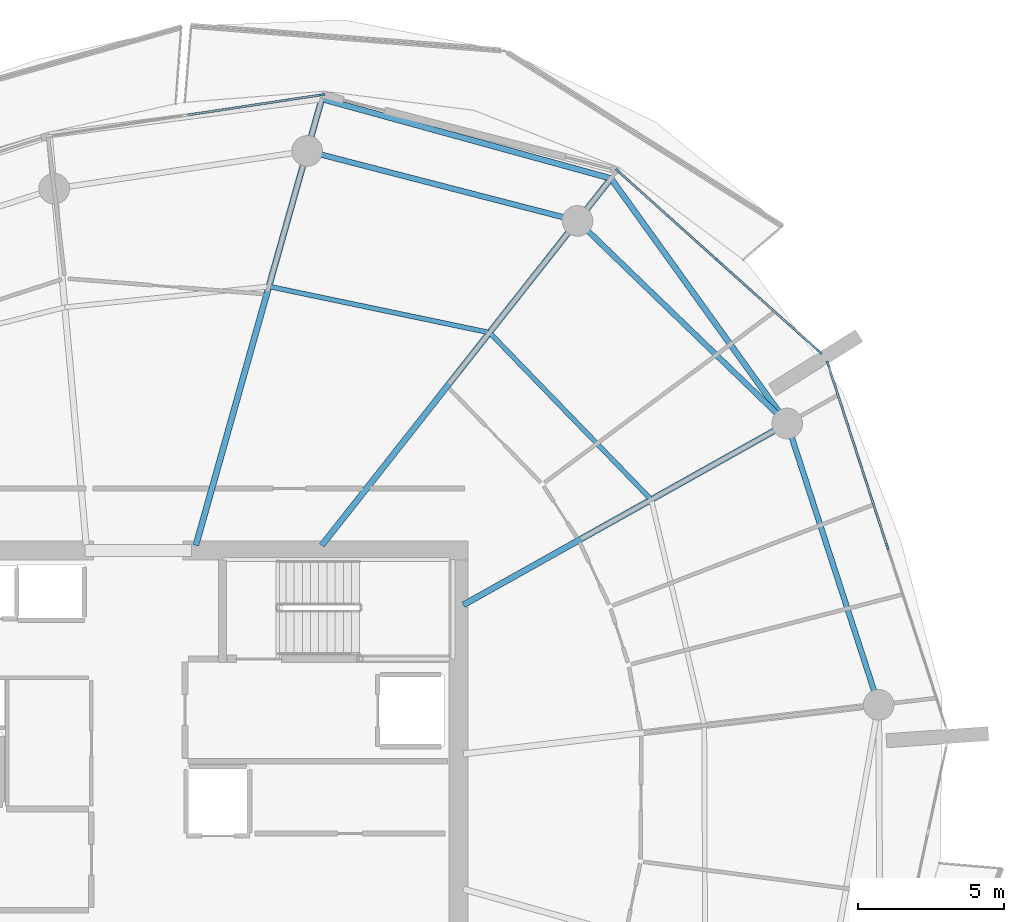
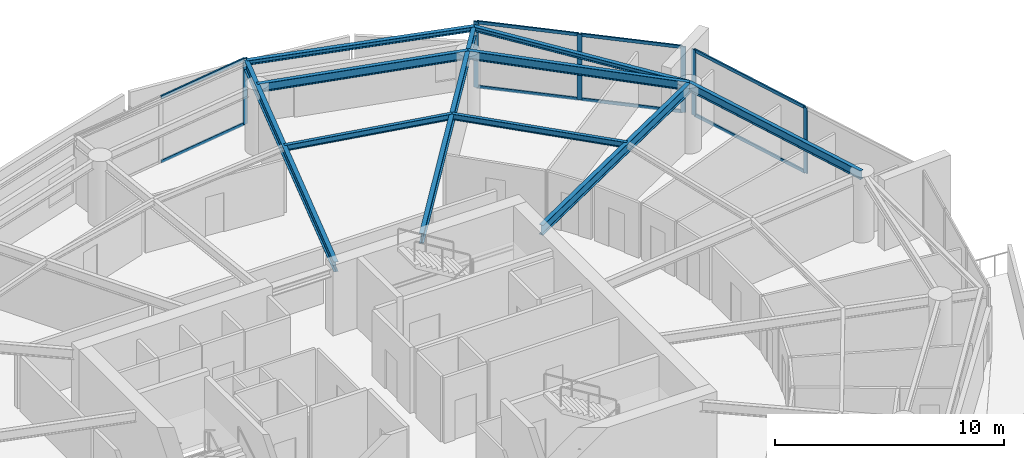
# One storey, part 9 of 20: 14 members, 10 beams, 3 elements without a shape of their own.
"""IFC4 building model written with IfcOpenShell, lengths in metres."""

from ifc_helpers import new_model, si_unit, direction, frame, origin, origin_2d, place, context, subcontext, project, spatial, rectangle, i_section, extrude, material, layer, layer_set, material_profile, profile_set, type_object, element, aggregate, save


model = new_model("IFC4")

# Units and contexts
model_context = context("Model", 3, precision=1e-05, world=origin(), true_north=direction((0.0, 1.0)))
body_context = subcontext(model_context, "Body", "Model", "MODEL_VIEW")
ifc_project = project(units=[si_unit("LENGTHUNIT", "METRE"), si_unit("AREAUNIT", "SQUARE_METRE"), si_unit("VOLUMEUNIT", "CUBIC_METRE"), si_unit("PLANEANGLEUNIT", "RADIAN"), si_unit("MASSUNIT", "GRAM", prefix="KILO")], contexts=[model_context])

# Site, building, storey
site_placement = place(None, origin())
site = spatial("IfcSite", under=ifc_project, at=site_placement, CompositionType="ELEMENT")
building_placement = place(site_placement, origin())
building = spatial("IfcBuilding", under=site, at=building_placement, Name="Kazma Halo Residences", CompositionType="ELEMENT")
storey_placement = place(building_placement, frame((0.0, 0.0, 217.800048828125)))
storey = spatial("IfcBuildingStorey", under=building, at=storey_placement, Name="L55", CompositionType="ELEMENT", Elevation=217.800048828125)

# Beams
ifc_material_1 = material(Name="Steel S355", Category="steel")
ifc_material_profile_1 = material_profile(ifc_material_1, i_section(OverallWidth=0.201904296875, OverallDepth=0.2470703125, WebThickness=0.00732421875, FlangeThickness=0.010986328125, FilletRadius=0.011962890625, at=origin_2d()), Name="W250x49.1")
ifc_profile_set_1 = profile_set([ifc_material_profile_1], Name="Steel S355")
beam_type_1 = type_object("IfcBeamType", Name="BM-BAL-CANT", PredefinedType="BEAM", material=ifc_profile_set_1)
beam_1_placement = place(storey_placement, frame((70.625, 54.670654296875, 3.37646484375), z_axis=(-0.583963922576, 0.811779611181, 0.0), x_axis=(-0.811779611181, -0.583963922576, 0.0)))
element("IfcBeam", 1, at=beam_1_placement, inside=storey, type_object=beam_type_1, Name="L55 wave-balcony lead tie beam 01", PredefinedType="BEAM", context=body_context, shape_type="SweptSolid", body=[
    extrude(i_section(OverallWidth=0.201904296875, OverallDepth=0.2470703125, WebThickness=0.00732421875, FlangeThickness=0.010986328125, FilletRadius=0.011962890625, at=origin_2d()), origin(), (0.0, 0.0, 1.0), 10.324462890625),
])
beam_2_placement = place(storey_placement, frame((64.595947265625, 63.0517578125, 3.37646484375), z_axis=(-0.964197026197, 0.265186905169, 0.0), x_axis=(-0.265186905169, -0.964197026197, 0.0)))
element("IfcBeam", 2, at=beam_2_placement, inside=storey, type_object=beam_type_1, Name="L55 wave-balcony tie beam 02", PredefinedType="BEAM", context=body_context, shape_type="SweptSolid", body=[
    extrude(i_section(OverallWidth=0.201904296875, OverallDepth=0.2470703125, WebThickness=0.00732421875, FlangeThickness=0.010986328125, FilletRadius=0.011962890625, at=origin_2d()), origin(), (0.0, 0.0, 1.0), 10.258544921875),
])
ifc_material_profile_2 = material_profile(ifc_material_1, i_section(OverallWidth=0.208984375, OverallDepth=0.532958984375, WebThickness=0.01025390625, FlangeThickness=0.015625, FilletRadius=0.01611328125, at=origin_2d()), Name="W530x92")
ifc_profile_set_2 = profile_set([ifc_material_profile_2], Name="Steel S355")
beam_type_2 = type_object("IfcBeamType", Name="BM-RAD-W530", PredefinedType="BEAM", material=ifc_profile_set_2)
beam_3_placement = place(storey_placement, frame((59.550048828125, 48.46826171875, 3.2333984375), z_axis=(0.872491912539, 0.488628552742, 0.0), x_axis=(-0.488628552742, 0.872491912539, 0.0)))
element("IfcBeam", 3, at=beam_3_placement, inside=storey, type_object=beam_type_2, Name="L55 radial floor beam 01", PredefinedType="BEAM", context=body_context, shape_type="SweptSolid", body=[
    extrude(i_section(OverallWidth=0.208984375, OverallDepth=0.532958984375, WebThickness=0.01025390625, FlangeThickness=0.015625, FilletRadius=0.01611328125, at=origin_2d()), origin(), (0.0, 0.0, 1.0), 12.693359375),
])
beam_4_placement = place(storey_placement, frame((54.700927734375, 50.5, 3.2333984375), z_axis=(0.61909439419, 0.785316580165, 0.0), x_axis=(-0.785316580165, 0.61909439419, 0.0)))
element("IfcBeam", 4, at=beam_4_placement, inside=storey, type_object=beam_type_2, Name="L55 radial floor beam 02", PredefinedType="BEAM", context=body_context, shape_type="SweptSolid", body=[
    extrude(i_section(OverallWidth=0.208984375, OverallDepth=0.532958984375, WebThickness=0.01025390625, FlangeThickness=0.015625, FilletRadius=0.01611328125, at=origin_2d()), origin(), (0.0, 0.0, 1.0), 15.983154296875),
])
beam_5_placement = place(storey_placement, frame((50.397216796875, 50.5, 3.2333984375), z_axis=(0.271449932859, 0.962452561922, 0.0), x_axis=(-0.962452561922, 0.271449932859, 0.0)))
element("IfcBeam", 5, at=beam_5_placement, inside=storey, type_object=beam_type_2, Name="L55 radial floor beam 03", PredefinedType="BEAM", context=body_context, shape_type="SweptSolid", body=[
    extrude(i_section(OverallWidth=0.208984375, OverallDepth=0.532958984375, WebThickness=0.01025390625, FlangeThickness=0.015625, FilletRadius=0.01611328125, at=origin_2d()), origin(), (0.0, 0.0, 1.0), 15.867919921875),
])
ifc_material_profile_3 = material_profile(ifc_material_1, i_section(OverallWidth=0.1650390625, OverallDepth=0.31005859375, WebThickness=0.005859375, FlangeThickness=0.009765625, FilletRadius=0.011962890625, at=origin_2d()), Name="W310x38.7")
ifc_profile_set_3 = profile_set([ifc_material_profile_3], Name="Steel S355")
beam_type_3 = type_object("IfcBeamType", Name="BM-SEC-W310B", PredefinedType="JOIST", material=ifc_profile_set_3)
beam_6_placement = place(storey_placement, frame((65.9736328125, 52.065673828125, 3.344970703125), z_axis=(-0.695659633946, 0.718371542934, 0.0), x_axis=(-0.718371542934, -0.695659633946, 0.0)))
element("IfcBeam", 6, at=beam_6_placement, inside=storey, type_object=beam_type_3, Name="L55 circumferential floor joist 01", PredefinedType="JOIST", context=body_context, shape_type="SweptSolid", body=[
    extrude(i_section(OverallWidth=0.1650390625, OverallDepth=0.31005859375, WebThickness=0.005859375, FlangeThickness=0.009765625, FilletRadius=0.011962890625, at=origin_2d()), origin(), (0.0, 0.0, 1.0), 7.95458984375),
])
beam_7_placement = place(storey_placement, frame((60.43994140625, 57.780029296875, 3.344970703125), z_axis=(-0.978821484976, 0.204715657802, 0.0), x_axis=(-0.204715657802, -0.978821484976, 0.0)))
element("IfcBeam", 7, at=beam_7_placement, inside=storey, type_object=beam_type_3, Name="L55 circumferential floor joist 02", PredefinedType="JOIST", context=body_context, shape_type="SweptSolid", body=[
    extrude(i_section(OverallWidth=0.1650390625, OverallDepth=0.31005859375, WebThickness=0.005859375, FlangeThickness=0.009765625, FilletRadius=0.011962890625, at=origin_2d()), origin(), (0.0, 0.0, 1.0), 7.707763671875),
])
ifc_material_profile_4 = material_profile(ifc_material_1, i_section(OverallWidth=0.18994140625, OverallDepth=0.45703125, WebThickness=0.009033203125, FlangeThickness=0.014404296875, FilletRadius=0.01611328125, at=origin_2d()), Name="W460x74")
ifc_profile_set_4 = profile_set([ifc_material_profile_4], Name="Steel S355")
beam_type_4 = type_object("IfcBeamType", Name="BM-SPN-W460", PredefinedType="BEAM", material=ifc_profile_set_4)
beam_8_placement = place(storey_placement, frame((70.625, 54.670654296875, 3.271484375), z_axis=(-0.71933650181, 0.694661786169, 0.0), x_axis=(-0.694661786169, -0.71933650181, 0.0)))
element("IfcBeam", 8, at=beam_8_placement, inside=storey, type_object=beam_type_4, Name="L55 perimeter ring beam 01", PredefinedType="BEAM", context=body_context, shape_type="SweptSolid", body=[
    extrude(i_section(OverallWidth=0.18994140625, OverallDepth=0.45703125, WebThickness=0.009033203125, FlangeThickness=0.014404296875, FilletRadius=0.01611328125, at=origin_2d()), origin(), (0.0, 0.0, 1.0), 9.9736328125),
])
beam_9_placement = place(storey_placement, frame((63.45068359375, 61.598876953125, 3.271484375), z_axis=(-0.968120950739, 0.25048318255, 0.0), x_axis=(-0.25048318255, -0.968120950739, 0.0)))
element("IfcBeam", 9, at=beam_9_placement, inside=storey, type_object=beam_type_4, Name="L55 perimeter ring beam 02", PredefinedType="BEAM", context=body_context, shape_type="SweptSolid", body=[
    extrude(i_section(OverallWidth=0.18994140625, OverallDepth=0.45703125, WebThickness=0.009033203125, FlangeThickness=0.014404296875, FilletRadius=0.01611328125, at=origin_2d()), origin(), (0.0, 0.0, 1.0), 9.552734375),
])
beam_10_placement = place(storey_placement, frame((73.751708984375, 45.0478515625, 3.271484375), z_axis=(-0.309023327426, 0.951054458539, 0.0), x_axis=(-0.951054458539, -0.309023327426, 0.0)))
element("IfcBeam", 10, at=beam_10_placement, inside=storey, type_object=beam_type_4, Name="L55 perimeter ring beam 16", PredefinedType="BEAM", context=body_context, shape_type="SweptSolid", body=[
    extrude(i_section(OverallWidth=0.18994140625, OverallDepth=0.45703125, WebThickness=0.009033203125, FlangeThickness=0.014404296875, FilletRadius=0.01611328125, at=origin_2d()), origin(), (0.0, 0.0, 1.0), 10.117919921875),
])

# Curtain wall, members
ifc_material_2 = material(Name="Aluminium AW-6063 T6 and Triple-Silver Low-E Glass", Category="aluminium")
ifc_layer = layer(ifc_material_2, 0.219970703125)
ifc_layer_set = layer_set([ifc_layer], Name="Aluminium AW-6063 T6 and Triple-Silver Low-E Glass")
curtain_wall_type = type_object("IfcCurtainWallType", Name="CW-SYS-4", PredefinedType="NOTDEFINED", material=ifc_layer_set)
curtain_wall_1_placement = place(storey_placement, origin())
curtain_wall_1 = element("IfcCurtainWall", 11, at=curtain_wall_1_placement, inside=storey, type_object=curtain_wall_type, Name="L55 unitised curtain wall B01", PredefinedType="NOTDEFINED")
ifc_material_3 = material(Name="Aluminium AW-6063 T6", Category="aluminium")
ifc_material_profile_5 = material_profile(ifc_material_3, rectangle(XDim=0.074951171875, YDim=0.219970703125, at=origin_2d()), Name="CWM-75x220")
ifc_profile_set_5 = profile_set([ifc_material_profile_5], Name="Aluminium AW-6063 T6")
member_type_1 = type_object("IfcMemberType", Name="CW-SYS-4-MUL", PredefinedType="MULLION", material=ifc_profile_set_5)
member_1_placement = place(storey_placement, frame((71.7216796875, 57.126220703125, 0.0), z_axis=(0.0, 0.0, 1.0), x_axis=(-0.667784328806, -0.744354814723, 0.0)))
member_1 = element("IfcMember", 12, at=member_1_placement, type_object=member_type_1, Name="CWS-4 mullion 1", PredefinedType="MULLION", context=body_context, shape_type="SweptSolid", body=[
    extrude(rectangle(XDim=0.074951171875, YDim=0.219970703125, at=origin_2d()), origin(), (0.0, 0.0, 1.0), 3.5),
])
member_2_placement = place(storey_placement, frame((68.280517578125, 60.213134765625, 0.0), z_axis=(0.0, 0.0, 1.0), x_axis=(-0.667784328806, -0.744354814723, 0.0)))
member_2 = element("IfcMember", 13, at=member_2_placement, type_object=member_type_1, Name="CWS-4 mullion 2", PredefinedType="MULLION", context=body_context, shape_type="SweptSolid", body=[
    extrude(rectangle(XDim=0.074951171875, YDim=0.219970703125, at=origin_2d()), origin(), (0.0, 0.0, 1.0), 3.5),
])
member_3_placement = place(storey_placement, frame((64.839599609375, 63.30029296875, 0.0), z_axis=(0.0, 0.0, 1.0), x_axis=(-0.667784328806, -0.744354814723, 0.0)))
member_3 = element("IfcMember", 14, at=member_3_placement, type_object=member_type_1, Name="CWS-4 mullion 3", PredefinedType="MULLION", context=body_context, shape_type="SweptSolid", body=[
    extrude(rectangle(XDim=0.074951171875, YDim=0.219970703125, at=origin_2d()), origin(), (0.0, 0.0, 1.0), 3.5),
])

# Curtain wall, member
curtain_wall_2_placement = place(storey_placement, origin())
curtain_wall_2 = element("IfcCurtainWall", 15, at=curtain_wall_2_placement, inside=storey, type_object=curtain_wall_type, Name="L55 unitised curtain wall B03", PredefinedType="NOTDEFINED")
member_4_placement = place(storey_placement, frame((54.708740234375, 65.913330078125, 0.0), z_axis=(0.0, 0.0, 1.0), x_axis=(0.148772639188, -0.988871428361, 0.0)))
member_4 = element("IfcMember", 16, at=member_4_placement, type_object=member_type_1, Name="CWS-4 mullion 1", PredefinedType="MULLION", context=body_context, shape_type="SweptSolid", body=[
    extrude(rectangle(XDim=0.074951171875, YDim=0.219970703125, at=origin_2d()), origin(), (0.0, 0.0, 1.0), 3.5),
])

# Curtain wall, members
curtain_wall_3_placement = place(storey_placement, origin())
curtain_wall_3 = element("IfcCurtainWall", 17, at=curtain_wall_3_placement, inside=storey, type_object=curtain_wall_type, Name="L55 unitised curtain wall B16", PredefinedType="NOTDEFINED")
member_5_placement = place(storey_placement, frame((74.04345703125, 50.4619140625, 0.0), z_axis=(0.0, 0.0, 1.0), x_axis=(-0.951056893636, -0.309015833038, 0.0)))
member_5 = element("IfcMember", 18, at=member_5_placement, type_object=member_type_1, Name="CWS-4 mullion 2", PredefinedType="MULLION", context=body_context, shape_type="SweptSolid", body=[
    extrude(rectangle(XDim=0.074951171875, YDim=0.219970703125, at=origin_2d()), origin(), (0.0, 0.0, 1.0), 3.5),
])
member_6_placement = place(storey_placement, frame((72.015625, 56.702880859375, 0.0), z_axis=(0.0, 0.0, 1.0), x_axis=(-0.951056893636, -0.309015833038, 0.0)))
member_6 = element("IfcMember", 19, at=member_6_placement, type_object=member_type_1, Name="CWS-4 mullion 3", PredefinedType="MULLION", context=body_context, shape_type="SweptSolid", body=[
    extrude(rectangle(XDim=0.074951171875, YDim=0.219970703125, at=origin_2d()), origin(), (0.0, 0.0, 1.0), 3.5),
])

# Member
ifc_material_profile_6 = material_profile(ifc_material_3, rectangle(XDim=0.074951171875, YDim=0.1650390625, at=origin_2d()), Name="CWT-75x165")
ifc_profile_set_6 = profile_set([ifc_material_profile_6], Name="Aluminium AW-6063 T6")
member_type_2 = type_object("IfcMemberType", Name="CW-SYS-4-TRN", PredefinedType="USERDEFINED", material=ifc_profile_set_6)
member_7_placement = place(storey_placement, frame((71.69384765625, 57.151123046875, 0.037353515625), z_axis=(-0.744344906673, 0.667795372783, 0.0), x_axis=(-0.667795372783, -0.744344906673, 0.0)))
member_7 = element("IfcMember", 20, at=member_7_placement, type_object=member_type_2, Name="CWS-4 transom 1.1", ObjectType="TRANSOM", PredefinedType="USERDEFINED", context=body_context, shape_type="SweptSolid", body=[
    extrude(rectangle(XDim=0.074951171875, YDim=0.1650390625, at=origin_2d()), origin(), (0.0, 0.0, 1.0), 4.5478515625),
])

member_8_placement = place(storey_placement, frame((71.69384765625, 57.151123046875, 3.46240234375), z_axis=(-0.744344906673, 0.667795372783, 0.0), x_axis=(-0.667795372783, -0.744344906673, 0.0)))
member_8 = element("IfcMember", 21, at=member_8_placement, type_object=member_type_2, Name="CWS-4 transom 1.2", ObjectType="TRANSOM", PredefinedType="USERDEFINED", context=body_context, shape_type="SweptSolid", body=[
    extrude(rectangle(XDim=0.074951171875, YDim=0.1650390625, at=origin_2d()), origin(), (0.0, 0.0, 1.0), 4.5478515625),
])

member_9_placement = place(storey_placement, frame((68.252685546875, 60.23828125, 0.037353515625), z_axis=(-0.744344906673, 0.667795372783, 0.0), x_axis=(-0.667795372783, -0.744344906673, 0.0)))
member_9 = element("IfcMember", 22, at=member_9_placement, type_object=member_type_2, Name="CWS-4 transom 2.1", ObjectType="TRANSOM", PredefinedType="USERDEFINED", context=body_context, shape_type="SweptSolid", body=[
    extrude(rectangle(XDim=0.074951171875, YDim=0.1650390625, at=origin_2d()), origin(), (0.0, 0.0, 1.0), 4.5478515625),
])

member_10_placement = place(storey_placement, frame((68.252685546875, 60.23828125, 3.46240234375), z_axis=(-0.744344906673, 0.667795372783, 0.0), x_axis=(-0.667795372783, -0.744344906673, 0.0)))
member_10 = element("IfcMember", 23, at=member_10_placement, type_object=member_type_2, Name="CWS-4 transom 2.2", ObjectType="TRANSOM", PredefinedType="USERDEFINED", context=body_context, shape_type="SweptSolid", body=[
    extrude(rectangle(XDim=0.074951171875, YDim=0.1650390625, at=origin_2d()), origin(), (0.0, 0.0, 1.0), 4.5478515625),
])

aggregate(curtain_wall_1, [member_1, member_2, member_3, member_7, member_8, member_9, member_10])

member_11_placement = place(storey_placement, frame((54.671630859375, 65.907958984375, 0.037353515625), z_axis=(-0.988867623216, -0.148797929272, 0.0), x_axis=(0.148797929272, -0.988867623216, 0.0)))
member_11 = element("IfcMember", 24, at=member_11_placement, type_object=member_type_2, Name="CWS-4 transom 1.1", ObjectType="TRANSOM", PredefinedType="USERDEFINED", context=body_context, shape_type="SweptSolid", body=[
    extrude(rectangle(XDim=0.074951171875, YDim=0.1650390625, at=origin_2d()), origin(), (0.0, 0.0, 1.0), 4.64501953125),
])

member_12_placement = place(storey_placement, frame((54.671630859375, 65.907958984375, 3.46240234375), z_axis=(-0.988867623216, -0.148797929272, 0.0), x_axis=(0.148797929272, -0.988867623216, 0.0)))
member_12 = element("IfcMember", 25, at=member_12_placement, type_object=member_type_2, Name="CWS-4 transom 1.2", ObjectType="TRANSOM", PredefinedType="USERDEFINED", context=body_context, shape_type="SweptSolid", body=[
    extrude(rectangle(XDim=0.074951171875, YDim=0.1650390625, at=origin_2d()), origin(), (0.0, 0.0, 1.0), 4.64501953125),
])

aggregate(curtain_wall_2, [member_4, member_11, member_12])

member_13_placement = place(storey_placement, frame((74.031982421875, 50.49755859375, 0.037353515625), z_axis=(-0.309015440644, 0.951057021132, 0.0), x_axis=(-0.951057021132, -0.309015440644, 0.0)))
member_13 = element("IfcMember", 26, at=member_13_placement, type_object=member_type_2, Name="CWS-4 transom 2.1", ObjectType="TRANSOM", PredefinedType="USERDEFINED", context=body_context, shape_type="SweptSolid", body=[
    extrude(rectangle(XDim=0.074951171875, YDim=0.1650390625, at=origin_2d()), origin(), (0.0, 0.0, 1.0), 6.487060546875),
])

member_14_placement = place(storey_placement, frame((74.031982421875, 50.49755859375, 3.46240234375), z_axis=(-0.309015440644, 0.951057021132, 0.0), x_axis=(-0.951057021132, -0.309015440644, 0.0)))
member_14 = element("IfcMember", 27, at=member_14_placement, type_object=member_type_2, Name="CWS-4 transom 2.2", ObjectType="TRANSOM", PredefinedType="USERDEFINED", context=body_context, shape_type="SweptSolid", body=[
    extrude(rectangle(XDim=0.074951171875, YDim=0.1650390625, at=origin_2d()), origin(), (0.0, 0.0, 1.0), 6.487060546875),
])

aggregate(curtain_wall_3, [member_5, member_6, member_13, member_14])

save(model, "model.ifc")
